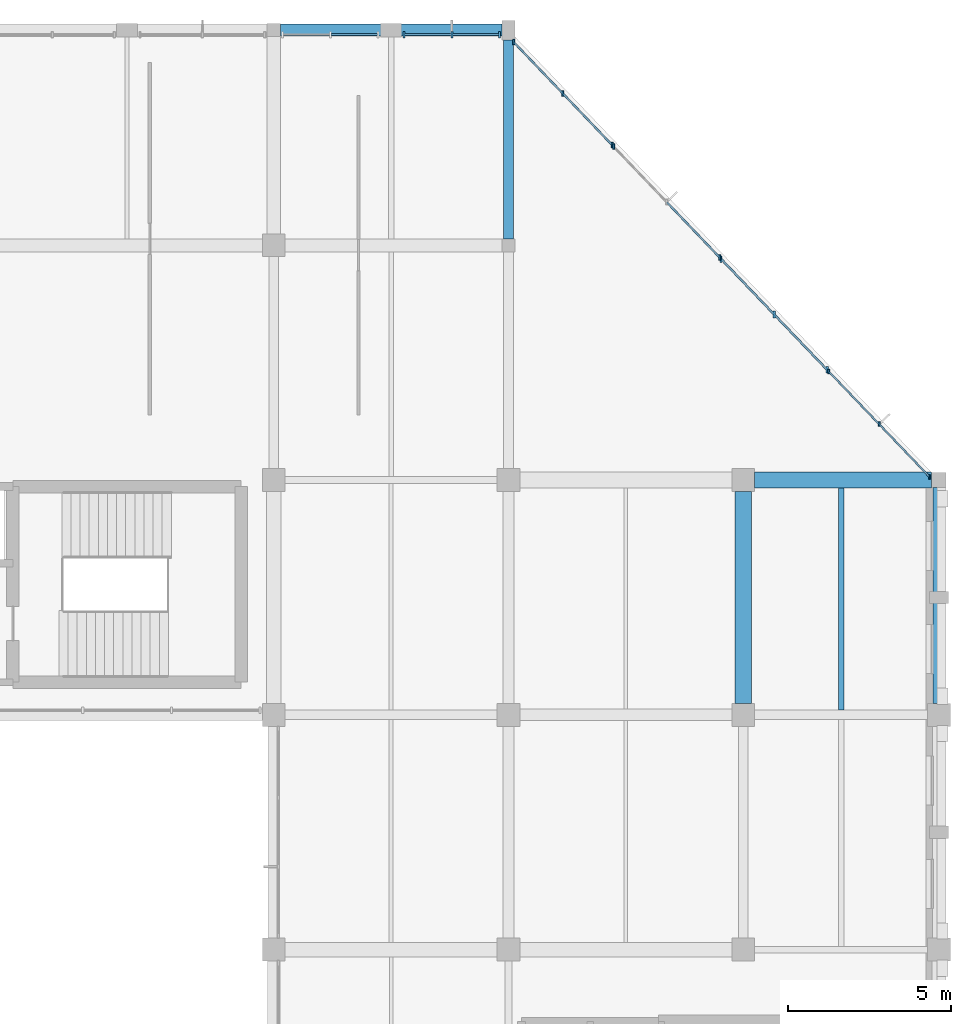
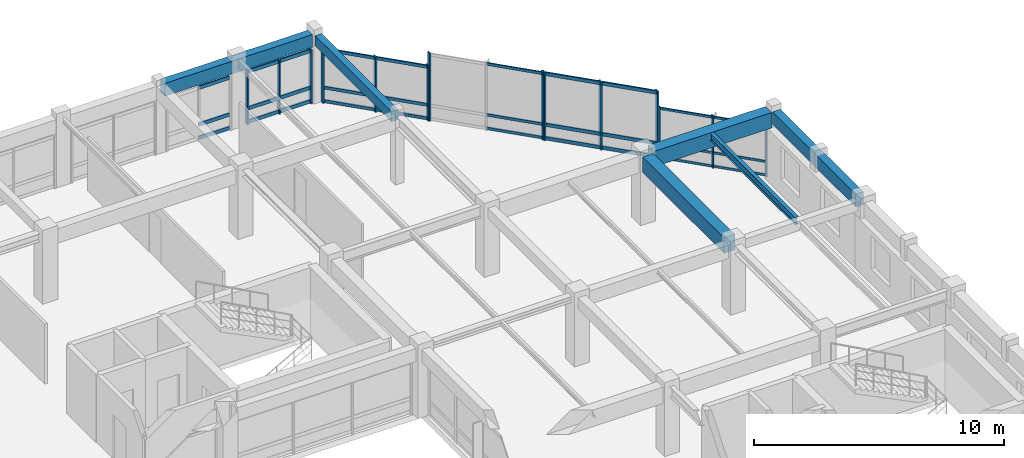
# One storey, part 31 of 52: 44 members, 6 beams, 6 elements without a shape of their own.
"""IFC4 building model written with IfcOpenShell, lengths in metres."""

from ifc_helpers import new_model, si_unit, direction, frame, origin, origin_2d, place, context, subcontext, project, spatial, rectangle, i_section, extrude, material, material_profile, profile_set, type_object, element, aggregate, save


model = new_model("IFC4")

# Units and contexts
model_context = context("Model", 3, precision=1e-05, world=origin(), true_north=direction((0.0, 1.0)))
body_context = subcontext(model_context, "Body", "Model", "MODEL_VIEW")
ifc_project = project(units=[si_unit("LENGTHUNIT", "METRE"), si_unit("AREAUNIT", "SQUARE_METRE"), si_unit("VOLUMEUNIT", "CUBIC_METRE"), si_unit("PLANEANGLEUNIT", "RADIAN"), si_unit("MASSUNIT", "GRAM", prefix="KILO")], contexts=[model_context])

# Site, building, storey
site_placement = place(None, origin())
site = spatial("IfcSite", under=ifc_project, at=site_placement, CompositionType="ELEMENT")
building_placement = place(site_placement, origin())
building = spatial("IfcBuilding", under=site, at=building_placement, Name="Clarverna Civic Hall", CompositionType="ELEMENT")
storey_placement = place(building_placement, frame((0.0, 0.0, 16.800048828125)))
storey = spatial("IfcBuildingStorey", under=building, at=storey_placement, Name="L04", CompositionType="ELEMENT", Elevation=16.800048828125)

# Beams
ifc_material_1 = material(Name="Concrete C35/45", Category="concrete")
ifc_material_profile_1 = material_profile(ifc_material_1, rectangle(XDim=0.300048828125, YDim=0.5, at=origin_2d()), Name="RC 300x500")
ifc_profile_set_1 = profile_set([ifc_material_profile_1], Name="Concrete C35/45")
beam_type_1 = type_object("IfcBeamType", Name="B-RC12", PredefinedType="BEAM", material=ifc_profile_set_1)
beam_1_placement = place(storey_placement, frame((154.800048828125, 109.60009765625, 3.070068359375), z_axis=(0.0, 1.0, 0.0), x_axis=(-1.0, 0.0, 0.0)))
element("IfcBeam", 1, at=beam_1_placement, inside=storey, type_object=beam_type_1, Name="B-RC12-050", PredefinedType="BEAM", context=body_context, shape_type="SweptSolid", body=[
    extrude(rectangle(XDim=0.300048828125, YDim=0.5, at=origin_2d()), origin(), (0.0, 0.0, 1.0), 6.099853515625),
])
ifc_material_profile_2 = material_profile(ifc_material_1, rectangle(XDim=0.5, YDim=0.75, at=origin_2d()), Name="RC 500x750")
ifc_profile_set_2 = profile_set([ifc_material_profile_2], Name="Concrete C35/45")
beam_type_2 = type_object("IfcBeamType", Name="B-RC15", PredefinedType="BEAM", material=ifc_profile_set_2)
beam_2_placement = place(storey_placement, frame((162.35009765625, 102.199951171875, 2.945068359375), z_axis=(1.0, 0.0, 0.0), x_axis=(0.0, 1.0, 0.0)))
element("IfcBeam", 2, at=beam_2_placement, inside=storey, type_object=beam_type_2, Name="B-RC15-047", PredefinedType="BEAM", context=body_context, shape_type="SweptSolid", body=[
    extrude(rectangle(XDim=0.5, YDim=0.75, at=origin_2d()), origin(), (0.0, 0.0, 1.0), 5.4248046875),
])
beam_3_placement = place(storey_placement, frame((162.0, 95.35009765625, 2.945068359375), z_axis=(0.0, 1.0, 0.0), x_axis=(-1.0, 0.0, 0.0)))
element("IfcBeam", 3, at=beam_3_placement, inside=storey, type_object=beam_type_2, Name="B-RC15-049", PredefinedType="BEAM", context=body_context, shape_type="SweptSolid", body=[
    extrude(rectangle(XDim=0.5, YDim=0.75, at=origin_2d()), origin(), (0.0, 0.0, 1.0), 6.5),
])
ifc_material_profile_3 = material_profile(ifc_material_1, rectangle(XDim=0.360107421875, YDim=0.6201171875, at=origin_2d()), Name="RC 360x620")
ifc_profile_set_3 = profile_set([ifc_material_profile_3], Name="Concrete C35/45")
beam_type_3 = type_object("IfcBeamType", Name="B-SP3", PredefinedType="SPANDREL", material=ifc_profile_set_3)
beam_4_placement = place(storey_placement, frame((147.800048828125, 116.0, 3.010009765625), z_axis=(1.0, 0.0, 0.0), x_axis=(0.0, 1.0, 0.0)))
element("IfcBeam", 4, at=beam_4_placement, inside=storey, type_object=beam_type_3, Name="B-SP3-140", PredefinedType="SPANDREL", context=body_context, shape_type="SweptSolid", body=[
    extrude(rectangle(XDim=0.360107421875, YDim=0.6201171875, at=origin_2d()), origin(), (0.0, 0.0, 1.0), 6.800048828125),
])
beam_5_placement = place(storey_placement, frame((168.0, 95.35009765625, 3.010009765625), z_axis=(0.0, 1.0, 0.0), x_axis=(-1.0, 0.0, 0.0)))
element("IfcBeam", 5, at=beam_5_placement, inside=storey, type_object=beam_type_3, Name="B-SP3-148", PredefinedType="SPANDREL", context=body_context, shape_type="SweptSolid", body=[
    extrude(rectangle(XDim=0.360107421875, YDim=0.6201171875, at=origin_2d()), origin(), (0.0, 0.0, 1.0), 6.625),
])

# Curtain wall, members
ifc_material_2 = material(Name="Anodised Bronze Architectural Aluminium", Category="aluminium")
curtain_wall_type = type_object("IfcCurtainWallType", Name="CW-01", PredefinedType="USERDEFINED", material=ifc_material_2)
curtain_wall_1_placement = place(storey_placement, origin())
curtain_wall_1 = element("IfcCurtainWall", 6, at=curtain_wall_1_placement, inside=storey, type_object=curtain_wall_type, Name="CW-01-087", ObjectType="UNITISED CURTAIN WALL", PredefinedType="USERDEFINED")
ifc_material_profile_4 = material_profile(ifc_material_2, rectangle(XDim=0.06005859375, YDim=0.179931640625, at=origin_2d()), Name="BRONZE 60x180")
ifc_profile_set_4 = profile_set([ifc_material_profile_4], Name="Anodised Bronze Architectural Aluminium")
member_type_1 = type_object("IfcMemberType", Name="CWM-01", PredefinedType="MULLION", material=ifc_profile_set_4)
member_1_placement = place(storey_placement, frame((154.9541015625, 115.63623046875, 0.0), z_axis=(0.0, 0.0, 1.0), x_axis=(1.0, 0.0, 0.0)))
member_1 = element("IfcMember", 7, at=member_1_placement, type_object=member_type_1, Name="CWM-01-164", PredefinedType="MULLION", context=body_context, shape_type="SweptSolid", body=[
    extrude(rectangle(XDim=0.06005859375, YDim=0.179931640625, at=origin_2d()), origin(), (0.0, 0.0, 1.0), 2.699951171875),
])
member_2_placement = place(storey_placement, frame((156.465087890625, 114.056640625, 0.0), z_axis=(0.0, 0.0, 1.0), x_axis=(1.0, 0.0, 0.0)))
member_2 = element("IfcMember", 8, at=member_2_placement, type_object=member_type_1, Name="CWM-01-165", PredefinedType="MULLION", context=body_context, shape_type="SweptSolid", body=[
    extrude(rectangle(XDim=0.06005859375, YDim=0.179931640625, at=origin_2d()), origin(), (0.0, 0.0, 1.0), 2.699951171875),
])
member_3_placement = place(storey_placement, frame((157.97607421875, 112.47705078125, 0.0), z_axis=(0.0, 0.0, 1.0), x_axis=(1.0, 0.0, 0.0)))
member_3 = element("IfcMember", 9, at=member_3_placement, type_object=member_type_1, Name="CWM-01-166", PredefinedType="MULLION", context=body_context, shape_type="SweptSolid", body=[
    extrude(rectangle(XDim=0.06005859375, YDim=0.179931640625, at=origin_2d()), origin(), (0.0, 0.0, 1.0), 2.699951171875),
])

curtain_wall_2_placement = place(storey_placement, origin())
curtain_wall_2 = element("IfcCurtainWall", 10, at=curtain_wall_2_placement, inside=storey, type_object=curtain_wall_type, Name="CW-01-088", ObjectType="UNITISED CURTAIN WALL", PredefinedType="USERDEFINED")
ifc_material_profile_5 = material_profile(ifc_material_2, rectangle(XDim=0.06005859375, YDim=0.159912109375, at=origin_2d()), Name="BRONZE 60x160")
ifc_profile_set_5 = profile_set([ifc_material_profile_5], Name="Anodised Bronze Architectural Aluminium")
member_type_2 = type_object("IfcMemberType", Name="CWM-02", PredefinedType="MULLION", material=ifc_profile_set_5)
member_4_placement = place(storey_placement, frame((158.021484375, 112.429443359375, 0.0), z_axis=(0.0, 0.0, 1.0), x_axis=(1.0, 0.0, 0.0)))
member_4 = element("IfcMember", 11, at=member_4_placement, type_object=member_type_2, Name="CWM-02-192", PredefinedType="MULLION", context=body_context, shape_type="SweptSolid", body=[
    extrude(rectangle(XDim=0.06005859375, YDim=0.159912109375, at=origin_2d()), origin(), (0.0, 0.0, 1.0), 3.320068359375),
])
member_5_placement = place(storey_placement, frame((161.27587890625, 109.027099609375, 0.0), z_axis=(0.0, 0.0, 1.0), x_axis=(1.0, 0.0, 0.0)))
member_5 = element("IfcMember", 12, at=member_5_placement, type_object=member_type_2, Name="CWM-02-194", PredefinedType="MULLION", context=body_context, shape_type="SweptSolid", body=[
    extrude(rectangle(XDim=0.06005859375, YDim=0.159912109375, at=origin_2d()), origin(), (0.0, 0.0, 1.0), 3.320068359375),
])

curtain_wall_3_placement = place(storey_placement, origin())
curtain_wall_3 = element("IfcCurtainWall", 13, at=curtain_wall_3_placement, inside=storey, type_object=curtain_wall_type, Name="CW-01-086", ObjectType="UNITISED CURTAIN WALL", PredefinedType="USERDEFINED")
ifc_material_profile_6 = material_profile(ifc_material_2, rectangle(XDim=0.06494140625, YDim=0.199951171875, at=origin_2d()), Name="BRONZE 65x200")
ifc_profile_set_6 = profile_set([ifc_material_profile_6], Name="Anodised Bronze Architectural Aluminium")
member_type_3 = type_object("IfcMemberType", Name="CWM-03", PredefinedType="MULLION", material=ifc_profile_set_6)
member_6_placement = place(storey_placement, frame((151.597900390625, 115.860107421875, 0.0), z_axis=(0.0, 0.0, 1.0), x_axis=(1.0, 0.0, 0.0)))
member_6 = element("IfcMember", 14, at=member_6_placement, type_object=member_type_3, Name="CWM-03-166", PredefinedType="MULLION", context=body_context, shape_type="SweptSolid", body=[
    extrude(rectangle(XDim=0.06494140625, YDim=0.199951171875, at=origin_2d()), origin(), (0.0, 0.0, 1.0), 2.639892578125),
])
member_7_placement = place(storey_placement, frame((153.0625, 115.860107421875, 0.0), z_axis=(0.0, 0.0, 1.0), x_axis=(1.0, 0.0, 0.0)))
member_7 = element("IfcMember", 15, at=member_7_placement, type_object=member_type_3, Name="CWM-03-167", PredefinedType="MULLION", context=body_context, shape_type="SweptSolid", body=[
    extrude(rectangle(XDim=0.06494140625, YDim=0.199951171875, at=origin_2d()), origin(), (0.0, 0.0, 1.0), 2.639892578125),
])
member_8_placement = place(storey_placement, frame((154.527099609375, 115.860107421875, 0.0), z_axis=(0.0, 0.0, 1.0), x_axis=(1.0, 0.0, 0.0)))
member_8 = element("IfcMember", 16, at=member_8_placement, type_object=member_type_3, Name="CWM-03-168", PredefinedType="MULLION", context=body_context, shape_type="SweptSolid", body=[
    extrude(rectangle(XDim=0.06494140625, YDim=0.199951171875, at=origin_2d()), origin(), (0.0, 0.0, 1.0), 2.639892578125),
])

curtain_wall_4_placement = place(storey_placement, origin())
curtain_wall_4 = element("IfcCurtainWall", 17, at=curtain_wall_4_placement, inside=storey, type_object=curtain_wall_type, Name="CW-01-089", ObjectType="UNITISED CURTAIN WALL", PredefinedType="USERDEFINED")
member_9_placement = place(storey_placement, frame((161.321533203125, 108.9794921875, 0.0), z_axis=(0.0, 0.0, 1.0), x_axis=(1.0, 0.0, 0.0)))
member_9 = element("IfcMember", 18, at=member_9_placement, type_object=member_type_3, Name="CWM-03-169", PredefinedType="MULLION", context=body_context, shape_type="SweptSolid", body=[
    extrude(rectangle(XDim=0.06494140625, YDim=0.199951171875, at=origin_2d()), origin(), (0.0, 0.0, 1.0), 3.320068359375),
])
member_10_placement = place(storey_placement, frame((162.94873046875, 107.2783203125, 0.0), z_axis=(0.0, 0.0, 1.0), x_axis=(1.0, 0.0, 0.0)))
member_10 = element("IfcMember", 19, at=member_10_placement, type_object=member_type_3, Name="CWM-03-170", PredefinedType="MULLION", context=body_context, shape_type="SweptSolid", body=[
    extrude(rectangle(XDim=0.06494140625, YDim=0.199951171875, at=origin_2d()), origin(), (0.0, 0.0, 1.0), 3.320068359375),
])
member_11_placement = place(storey_placement, frame((164.575927734375, 105.576904296875, 0.0), z_axis=(0.0, 0.0, 1.0), x_axis=(1.0, 0.0, 0.0)))
member_11 = element("IfcMember", 20, at=member_11_placement, type_object=member_type_3, Name="CWM-03-171", PredefinedType="MULLION", context=body_context, shape_type="SweptSolid", body=[
    extrude(rectangle(XDim=0.06494140625, YDim=0.199951171875, at=origin_2d()), origin(), (0.0, 0.0, 1.0), 3.320068359375),
])

curtain_wall_5_placement = place(storey_placement, origin())
curtain_wall_5 = element("IfcCurtainWall", 21, at=curtain_wall_5_placement, inside=storey, type_object=curtain_wall_type, Name="CW-01-090", ObjectType="UNITISED CURTAIN WALL", PredefinedType="USERDEFINED")
ifc_material_profile_7 = material_profile(ifc_material_2, rectangle(XDim=0.054931640625, YDim=0.139892578125, at=origin_2d()), Name="BRONZE 55x140")
ifc_profile_set_7 = profile_set([ifc_material_profile_7], Name="Anodised Bronze Architectural Aluminium")
member_type_4 = type_object("IfcMemberType", Name="CWM-04", PredefinedType="MULLION", material=ifc_profile_set_7)
member_12_placement = place(storey_placement, frame((164.62158203125, 105.529296875, 0.0), z_axis=(0.0, 0.0, 1.0), x_axis=(1.0, 0.0, 0.0)))
member_12 = element("IfcMember", 22, at=member_12_placement, type_object=member_type_4, Name="CWM-04-192", PredefinedType="MULLION", context=body_context, shape_type="SweptSolid", body=[
    extrude(rectangle(XDim=0.054931640625, YDim=0.139892578125, at=origin_2d()), origin(), (0.0, 0.0, 1.0), 2.570068359375),
])
member_13_placement = place(storey_placement, frame((166.1669921875, 103.913818359375, 0.0), z_axis=(0.0, 0.0, 1.0), x_axis=(1.0, 0.0, 0.0)))
member_13 = element("IfcMember", 23, at=member_13_placement, type_object=member_type_4, Name="CWM-04-193", PredefinedType="MULLION", context=body_context, shape_type="SweptSolid", body=[
    extrude(rectangle(XDim=0.054931640625, YDim=0.139892578125, at=origin_2d()), origin(), (0.0, 0.0, 1.0), 2.570068359375),
])
member_14_placement = place(storey_placement, frame((167.712158203125, 102.298095703125, 0.0), z_axis=(0.0, 0.0, 1.0), x_axis=(1.0, 0.0, 0.0)))
member_14 = element("IfcMember", 24, at=member_14_placement, type_object=member_type_4, Name="CWM-04-194", PredefinedType="MULLION", context=body_context, shape_type="SweptSolid", body=[
    extrude(rectangle(XDim=0.054931640625, YDim=0.139892578125, at=origin_2d()), origin(), (0.0, 0.0, 1.0), 2.570068359375),
])

# Member
ifc_material_profile_8 = material_profile(ifc_material_2, rectangle(XDim=0.06005859375, YDim=0.14990234375, at=origin_2d()), Name="BRONZE 60x150")
ifc_profile_set_8 = profile_set([ifc_material_profile_8], Name="Anodised Bronze Architectural Aluminium")
member_type_5 = type_object("IfcMemberType", Name="CWT-01", PredefinedType="USERDEFINED", material=ifc_profile_set_8)
member_15_placement = place(storey_placement, frame((154.964599609375, 115.62548828125, 0.094970703125), z_axis=(0.691132648489, -0.722727930962, 0.0), x_axis=(0.722727930962, 0.691132648489, 0.0)))
member_15 = element("IfcMember", 25, at=member_15_placement, type_object=member_type_5, Name="CWT-01-349", ObjectType="TRANSOM", PredefinedType="USERDEFINED", context=body_context, shape_type="SweptSolid", body=[
    extrude(rectangle(XDim=0.06005859375, YDim=0.14990234375, at=origin_2d()), origin(), (0.0, 0.0, 1.0), 2.15576171875),
])

member_16_placement = place(storey_placement, frame((154.964599609375, 115.62548828125, 0.75), z_axis=(0.691132648489, -0.722727930962, 0.0), x_axis=(0.722727930962, 0.691132648489, 0.0)))
member_16 = element("IfcMember", 26, at=member_16_placement, type_object=member_type_5, Name="CWT-01-350", ObjectType="TRANSOM", PredefinedType="USERDEFINED", context=body_context, shape_type="SweptSolid", body=[
    extrude(rectangle(XDim=0.06005859375, YDim=0.14990234375, at=origin_2d()), origin(), (0.0, 0.0, 1.0), 2.15576171875),
])

member_17_placement = place(storey_placement, frame((154.964599609375, 115.62548828125, 2.60498046875), z_axis=(0.691132648489, -0.722727930962, 0.0), x_axis=(0.722727930962, 0.691132648489, 0.0)))
member_17 = element("IfcMember", 27, at=member_17_placement, type_object=member_type_5, Name="CWT-01-351", ObjectType="TRANSOM", PredefinedType="USERDEFINED", context=body_context, shape_type="SweptSolid", body=[
    extrude(rectangle(XDim=0.06005859375, YDim=0.14990234375, at=origin_2d()), origin(), (0.0, 0.0, 1.0), 2.15576171875),
])

member_18_placement = place(storey_placement, frame((156.4755859375, 114.0458984375, 0.094970703125), z_axis=(0.691132648489, -0.722727930962, 0.0), x_axis=(0.722727930962, 0.691132648489, 0.0)))
member_18 = element("IfcMember", 28, at=member_18_placement, type_object=member_type_5, Name="CWT-01-352", ObjectType="TRANSOM", PredefinedType="USERDEFINED", context=body_context, shape_type="SweptSolid", body=[
    extrude(rectangle(XDim=0.06005859375, YDim=0.14990234375, at=origin_2d()), origin(), (0.0, 0.0, 1.0), 2.15576171875),
])

member_19_placement = place(storey_placement, frame((156.4755859375, 114.0458984375, 0.75), z_axis=(0.691132648489, -0.722727930962, 0.0), x_axis=(0.722727930962, 0.691132648489, 0.0)))
member_19 = element("IfcMember", 29, at=member_19_placement, type_object=member_type_5, Name="CWT-01-353", ObjectType="TRANSOM", PredefinedType="USERDEFINED", context=body_context, shape_type="SweptSolid", body=[
    extrude(rectangle(XDim=0.06005859375, YDim=0.14990234375, at=origin_2d()), origin(), (0.0, 0.0, 1.0), 2.15576171875),
])

member_20_placement = place(storey_placement, frame((156.4755859375, 114.0458984375, 2.60498046875), z_axis=(0.691132648489, -0.722727930962, 0.0), x_axis=(0.722727930962, 0.691132648489, 0.0)))
member_20 = element("IfcMember", 30, at=member_20_placement, type_object=member_type_5, Name="CWT-01-354", ObjectType="TRANSOM", PredefinedType="USERDEFINED", context=body_context, shape_type="SweptSolid", body=[
    extrude(rectangle(XDim=0.06005859375, YDim=0.14990234375, at=origin_2d()), origin(), (0.0, 0.0, 1.0), 2.15576171875),
])

aggregate(curtain_wall_1, [member_1, member_2, member_3, member_15, member_16, member_17, member_18, member_19, member_20])

ifc_material_profile_9 = material_profile(ifc_material_2, rectangle(XDim=0.06005859375, YDim=0.1298828125, at=origin_2d()), Name="BRONZE 60x130")
ifc_profile_set_9 = profile_set([ifc_material_profile_9], Name="Anodised Bronze Architectural Aluminium")
member_type_6 = type_object("IfcMemberType", Name="CWT-02", PredefinedType="USERDEFINED", material=ifc_profile_set_9)
member_21_placement = place(storey_placement, frame((159.6591796875, 110.71728515625, 0.094970703125), z_axis=(0.691227416228, -0.72263729426, 0.0), x_axis=(0.72263729426, 0.691227416228, 0.0)))
member_21 = element("IfcMember", 31, at=member_21_placement, type_object=member_type_6, Name="CWT-02-409", ObjectType="TRANSOM", PredefinedType="USERDEFINED", context=body_context, shape_type="SweptSolid", body=[
    extrude(rectangle(XDim=0.06005859375, YDim=0.1298828125, at=origin_2d()), origin(), (0.0, 0.0, 1.0), 2.323974609375),
])

member_22_placement = place(storey_placement, frame((159.6591796875, 110.71728515625, 0.75), z_axis=(0.691227416228, -0.72263729426, 0.0), x_axis=(0.72263729426, 0.691227416228, 0.0)))
member_22 = element("IfcMember", 32, at=member_22_placement, type_object=member_type_6, Name="CWT-02-410", ObjectType="TRANSOM", PredefinedType="USERDEFINED", context=body_context, shape_type="SweptSolid", body=[
    extrude(rectangle(XDim=0.06005859375, YDim=0.1298828125, at=origin_2d()), origin(), (0.0, 0.0, 1.0), 2.323974609375),
])

member_23_placement = place(storey_placement, frame((159.6591796875, 110.71728515625, 3.224853515625), z_axis=(0.691227416228, -0.72263729426, 0.0), x_axis=(0.72263729426, 0.691227416228, 0.0)))
member_23 = element("IfcMember", 33, at=member_23_placement, type_object=member_type_6, Name="CWT-02-411", ObjectType="TRANSOM", PredefinedType="USERDEFINED", context=body_context, shape_type="SweptSolid", body=[
    extrude(rectangle(XDim=0.06005859375, YDim=0.1298828125, at=origin_2d()), origin(), (0.0, 0.0, 1.0), 2.323974609375),
])

aggregate(curtain_wall_2, [member_4, member_5, member_21, member_22, member_23])

# Curtain wall, members
curtain_wall_6_placement = place(storey_placement, origin())
curtain_wall_6 = element("IfcCurtainWall", 34, at=curtain_wall_6_placement, inside=storey, type_object=curtain_wall_type, Name="CW-01-085", ObjectType="UNITISED CURTAIN WALL", PredefinedType="USERDEFINED")
ifc_material_profile_10 = material_profile(ifc_material_2, rectangle(XDim=0.06494140625, YDim=0.169921875, at=origin_2d()), Name="BRONZE 65x170")
ifc_profile_set_10 = profile_set([ifc_material_profile_10], Name="Anodised Bronze Architectural Aluminium")
member_type_7 = type_object("IfcMemberType", Name="CWT-03", PredefinedType="USERDEFINED", material=ifc_profile_set_10)
member_24_placement = place(storey_placement, frame((149.3525390625, 115.860107421875, 0.094970703125), z_axis=(1.0, 0.0, 0.0), x_axis=(0.0, 1.0, 0.0)))
member_24 = element("IfcMember", 35, at=member_24_placement, type_object=member_type_7, Name="CWT-03-349", ObjectType="TRANSOM", PredefinedType="USERDEFINED", context=body_context, shape_type="SweptSolid", body=[
    extrude(rectangle(XDim=0.06494140625, YDim=0.169921875, at=origin_2d()), origin(), (0.0, 0.0, 1.0), 1.4345703125),
])
member_25_placement = place(storey_placement, frame((149.3525390625, 115.860107421875, 0.75), z_axis=(1.0, 0.0, 0.0), x_axis=(0.0, 1.0, 0.0)))
member_25 = element("IfcMember", 36, at=member_25_placement, type_object=member_type_7, Name="CWT-03-350", ObjectType="TRANSOM", PredefinedType="USERDEFINED", context=body_context, shape_type="SweptSolid", body=[
    extrude(rectangle(XDim=0.06494140625, YDim=0.169921875, at=origin_2d()), origin(), (0.0, 0.0, 1.0), 1.4345703125),
])
member_26_placement = place(storey_placement, frame((149.3525390625, 115.860107421875, 2.544921875), z_axis=(1.0, 0.0, 0.0), x_axis=(0.0, 1.0, 0.0)))
member_26 = element("IfcMember", 37, at=member_26_placement, type_object=member_type_7, Name="CWT-03-351", ObjectType="TRANSOM", PredefinedType="USERDEFINED", context=body_context, shape_type="SweptSolid", body=[
    extrude(rectangle(XDim=0.06494140625, YDim=0.169921875, at=origin_2d()), origin(), (0.0, 0.0, 1.0), 1.4345703125),
])
aggregate(curtain_wall_6, [member_24, member_25, member_26])

# Member
member_27_placement = place(storey_placement, frame((151.613037109375, 115.860107421875, 0.094970703125), z_axis=(1.0, 0.0, 0.0), x_axis=(0.0, 1.0, 0.0)))
member_27 = element("IfcMember", 38, at=member_27_placement, type_object=member_type_7, Name="CWT-03-352", ObjectType="TRANSOM", PredefinedType="USERDEFINED", context=body_context, shape_type="SweptSolid", body=[
    extrude(rectangle(XDim=0.06494140625, YDim=0.169921875, at=origin_2d()), origin(), (0.0, 0.0, 1.0), 1.4345703125),
])

member_28_placement = place(storey_placement, frame((151.613037109375, 115.860107421875, 0.75), z_axis=(1.0, 0.0, 0.0), x_axis=(0.0, 1.0, 0.0)))
member_28 = element("IfcMember", 39, at=member_28_placement, type_object=member_type_7, Name="CWT-03-353", ObjectType="TRANSOM", PredefinedType="USERDEFINED", context=body_context, shape_type="SweptSolid", body=[
    extrude(rectangle(XDim=0.06494140625, YDim=0.169921875, at=origin_2d()), origin(), (0.0, 0.0, 1.0), 1.4345703125),
])

member_29_placement = place(storey_placement, frame((151.613037109375, 115.860107421875, 2.544921875), z_axis=(1.0, 0.0, 0.0), x_axis=(0.0, 1.0, 0.0)))
member_29 = element("IfcMember", 40, at=member_29_placement, type_object=member_type_7, Name="CWT-03-354", ObjectType="TRANSOM", PredefinedType="USERDEFINED", context=body_context, shape_type="SweptSolid", body=[
    extrude(rectangle(XDim=0.06494140625, YDim=0.169921875, at=origin_2d()), origin(), (0.0, 0.0, 1.0), 1.4345703125),
])

member_30_placement = place(storey_placement, frame((153.077392578125, 115.860107421875, 0.094970703125), z_axis=(1.0, 0.0, 0.0), x_axis=(0.0, 1.0, 0.0)))
member_30 = element("IfcMember", 41, at=member_30_placement, type_object=member_type_7, Name="CWT-03-355", ObjectType="TRANSOM", PredefinedType="USERDEFINED", context=body_context, shape_type="SweptSolid", body=[
    extrude(rectangle(XDim=0.06494140625, YDim=0.169921875, at=origin_2d()), origin(), (0.0, 0.0, 1.0), 1.4345703125),
])

member_31_placement = place(storey_placement, frame((153.077392578125, 115.860107421875, 0.75), z_axis=(1.0, 0.0, 0.0), x_axis=(0.0, 1.0, 0.0)))
member_31 = element("IfcMember", 42, at=member_31_placement, type_object=member_type_7, Name="CWT-03-356", ObjectType="TRANSOM", PredefinedType="USERDEFINED", context=body_context, shape_type="SweptSolid", body=[
    extrude(rectangle(XDim=0.06494140625, YDim=0.169921875, at=origin_2d()), origin(), (0.0, 0.0, 1.0), 1.4345703125),
])

member_32_placement = place(storey_placement, frame((153.077392578125, 115.860107421875, 2.544921875), z_axis=(1.0, 0.0, 0.0), x_axis=(0.0, 1.0, 0.0)))
member_32 = element("IfcMember", 43, at=member_32_placement, type_object=member_type_7, Name="CWT-03-357", ObjectType="TRANSOM", PredefinedType="USERDEFINED", context=body_context, shape_type="SweptSolid", body=[
    extrude(rectangle(XDim=0.06494140625, YDim=0.169921875, at=origin_2d()), origin(), (0.0, 0.0, 1.0), 1.4345703125),
])

aggregate(curtain_wall_3, [member_6, member_7, member_8, member_27, member_28, member_29, member_30, member_31, member_32])

member_33_placement = place(storey_placement, frame((161.33203125, 108.968505859375, 0.094970703125), z_axis=(0.691227416228, -0.72263729426, 0.0), x_axis=(0.72263729426, 0.691227416228, 0.0)))
member_33 = element("IfcMember", 44, at=member_33_placement, type_object=member_type_7, Name="CWT-03-358", ObjectType="TRANSOM", PredefinedType="USERDEFINED", context=body_context, shape_type="SweptSolid", body=[
    extrude(rectangle(XDim=0.06494140625, YDim=0.169921875, at=origin_2d()), origin(), (0.0, 0.0, 1.0), 2.323974609375),
])

member_34_placement = place(storey_placement, frame((161.33203125, 108.968505859375, 0.75), z_axis=(0.691227416228, -0.72263729426, 0.0), x_axis=(0.72263729426, 0.691227416228, 0.0)))
member_34 = element("IfcMember", 45, at=member_34_placement, type_object=member_type_7, Name="CWT-03-359", ObjectType="TRANSOM", PredefinedType="USERDEFINED", context=body_context, shape_type="SweptSolid", body=[
    extrude(rectangle(XDim=0.06494140625, YDim=0.169921875, at=origin_2d()), origin(), (0.0, 0.0, 1.0), 2.323974609375),
])

member_35_placement = place(storey_placement, frame((161.33203125, 108.968505859375, 3.224853515625), z_axis=(0.691227416228, -0.72263729426, 0.0), x_axis=(0.72263729426, 0.691227416228, 0.0)))
member_35 = element("IfcMember", 46, at=member_35_placement, type_object=member_type_7, Name="CWT-03-360", ObjectType="TRANSOM", PredefinedType="USERDEFINED", context=body_context, shape_type="SweptSolid", body=[
    extrude(rectangle(XDim=0.06494140625, YDim=0.169921875, at=origin_2d()), origin(), (0.0, 0.0, 1.0), 2.323974609375),
])

member_36_placement = place(storey_placement, frame((162.959228515625, 107.267333984375, 0.094970703125), z_axis=(0.691227416228, -0.72263729426, 0.0), x_axis=(0.72263729426, 0.691227416228, 0.0)))
member_36 = element("IfcMember", 47, at=member_36_placement, type_object=member_type_7, Name="CWT-03-361", ObjectType="TRANSOM", PredefinedType="USERDEFINED", context=body_context, shape_type="SweptSolid", body=[
    extrude(rectangle(XDim=0.06494140625, YDim=0.169921875, at=origin_2d()), origin(), (0.0, 0.0, 1.0), 2.323974609375),
])

member_37_placement = place(storey_placement, frame((162.959228515625, 107.267333984375, 0.75), z_axis=(0.691227416228, -0.72263729426, 0.0), x_axis=(0.72263729426, 0.691227416228, 0.0)))
member_37 = element("IfcMember", 48, at=member_37_placement, type_object=member_type_7, Name="CWT-03-362", ObjectType="TRANSOM", PredefinedType="USERDEFINED", context=body_context, shape_type="SweptSolid", body=[
    extrude(rectangle(XDim=0.06494140625, YDim=0.169921875, at=origin_2d()), origin(), (0.0, 0.0, 1.0), 2.323974609375),
])

member_38_placement = place(storey_placement, frame((162.959228515625, 107.267333984375, 3.224853515625), z_axis=(0.691227416228, -0.72263729426, 0.0), x_axis=(0.72263729426, 0.691227416228, 0.0)))
member_38 = element("IfcMember", 49, at=member_38_placement, type_object=member_type_7, Name="CWT-03-363", ObjectType="TRANSOM", PredefinedType="USERDEFINED", context=body_context, shape_type="SweptSolid", body=[
    extrude(rectangle(XDim=0.06494140625, YDim=0.169921875, at=origin_2d()), origin(), (0.0, 0.0, 1.0), 2.323974609375),
])

aggregate(curtain_wall_4, [member_9, member_10, member_11, member_33, member_34, member_35, member_36, member_37, member_38])

ifc_material_profile_11 = material_profile(ifc_material_2, rectangle(XDim=0.054931640625, YDim=0.110107421875, at=origin_2d()), Name="BRONZE 55x110")
ifc_profile_set_11 = profile_set([ifc_material_profile_11], Name="Anodised Bronze Architectural Aluminium")
member_type_8 = type_object("IfcMemberType", Name="CWT-04", PredefinedType="USERDEFINED", material=ifc_profile_set_11)
member_39_placement = place(storey_placement, frame((164.632080078125, 105.5185546875, 0.094970703125), z_axis=(0.691157299137, -0.722704357154, 0.0), x_axis=(0.722704357154, 0.691157299137, 0.0)))
member_39 = element("IfcMember", 50, at=member_39_placement, type_object=member_type_8, Name="CWT-04-406", ObjectType="TRANSOM", PredefinedType="USERDEFINED", context=body_context, shape_type="SweptSolid", body=[
    extrude(rectangle(XDim=0.054931640625, YDim=0.110107421875, at=origin_2d()), origin(), (0.0, 0.0, 1.0), 2.20556640625),
])

member_40_placement = place(storey_placement, frame((164.632080078125, 105.5185546875, 0.75), z_axis=(0.691157299137, -0.722704357154, 0.0), x_axis=(0.722704357154, 0.691157299137, 0.0)))
member_40 = element("IfcMember", 51, at=member_40_placement, type_object=member_type_8, Name="CWT-04-407", ObjectType="TRANSOM", PredefinedType="USERDEFINED", context=body_context, shape_type="SweptSolid", body=[
    extrude(rectangle(XDim=0.054931640625, YDim=0.110107421875, at=origin_2d()), origin(), (0.0, 0.0, 1.0), 2.20556640625),
])

member_41_placement = place(storey_placement, frame((164.632080078125, 105.5185546875, 2.474853515625), z_axis=(0.691157299137, -0.722704357154, 0.0), x_axis=(0.722704357154, 0.691157299137, 0.0)))
member_41 = element("IfcMember", 52, at=member_41_placement, type_object=member_type_8, Name="CWT-04-408", ObjectType="TRANSOM", PredefinedType="USERDEFINED", context=body_context, shape_type="SweptSolid", body=[
    extrude(rectangle(XDim=0.054931640625, YDim=0.110107421875, at=origin_2d()), origin(), (0.0, 0.0, 1.0), 2.20556640625),
])

member_42_placement = place(storey_placement, frame((166.17724609375, 103.903076171875, 0.094970703125), z_axis=(0.691215106814, -0.722649068437, 0.0), x_axis=(0.722649068437, 0.691215106814, 0.0)))
member_42 = element("IfcMember", 53, at=member_42_placement, type_object=member_type_8, Name="CWT-04-409", ObjectType="TRANSOM", PredefinedType="USERDEFINED", context=body_context, shape_type="SweptSolid", body=[
    extrude(rectangle(XDim=0.054931640625, YDim=0.110107421875, at=origin_2d()), origin(), (0.0, 0.0, 1.0), 2.205810546875),
])

member_43_placement = place(storey_placement, frame((166.17724609375, 103.903076171875, 0.75), z_axis=(0.691215106814, -0.722649068437, 0.0), x_axis=(0.722649068437, 0.691215106814, 0.0)))
member_43 = element("IfcMember", 54, at=member_43_placement, type_object=member_type_8, Name="CWT-04-410", ObjectType="TRANSOM", PredefinedType="USERDEFINED", context=body_context, shape_type="SweptSolid", body=[
    extrude(rectangle(XDim=0.054931640625, YDim=0.110107421875, at=origin_2d()), origin(), (0.0, 0.0, 1.0), 2.205810546875),
])

member_44_placement = place(storey_placement, frame((166.17724609375, 103.903076171875, 2.474853515625), z_axis=(0.691215106814, -0.722649068437, 0.0), x_axis=(0.722649068437, 0.691215106814, 0.0)))
member_44 = element("IfcMember", 55, at=member_44_placement, type_object=member_type_8, Name="CWT-04-411", ObjectType="TRANSOM", PredefinedType="USERDEFINED", context=body_context, shape_type="SweptSolid", body=[
    extrude(rectangle(XDim=0.054931640625, YDim=0.110107421875, at=origin_2d()), origin(), (0.0, 0.0, 1.0), 2.205810546875),
])

aggregate(curtain_wall_5, [member_12, member_13, member_14, member_39, member_40, member_41, member_42, member_43, member_44])

# Beam
ifc_material_3 = material(Name="Steel S355", Category="steel")
ifc_material_profile_12 = material_profile(ifc_material_3, i_section(OverallWidth=0.169921875, OverallDepth=0.360107421875, WebThickness=0.008056640625, FlangeThickness=0.0126953125, FilletRadius=0.01806640625, at=origin_2d()), Name="IPE 360")
ifc_profile_set_12 = profile_set([ifc_material_profile_12], Name="Steel S355")
beam_type_4 = type_object("IfcBeamType", Name="J-ST1", PredefinedType="JOIST", material=ifc_profile_set_12)
beam_6_placement = place(storey_placement, frame((165.0, 95.14990234375, 3.139892578125), z_axis=(0.0, 1.0, 0.0), x_axis=(-1.0, 0.0, 0.0)))
element("IfcBeam", 56, at=beam_6_placement, inside=storey, type_object=beam_type_4, Name="J-ST1-069", PredefinedType="JOIST", context=body_context, shape_type="SweptSolid", body=[
    extrude(i_section(OverallWidth=0.169921875, OverallDepth=0.360107421875, WebThickness=0.008056640625, FlangeThickness=0.0126953125, FilletRadius=0.01806640625, at=origin_2d()), origin(), (0.0, 0.0, 1.0), 6.800048828125),
])

save(model, "model.ifc")
